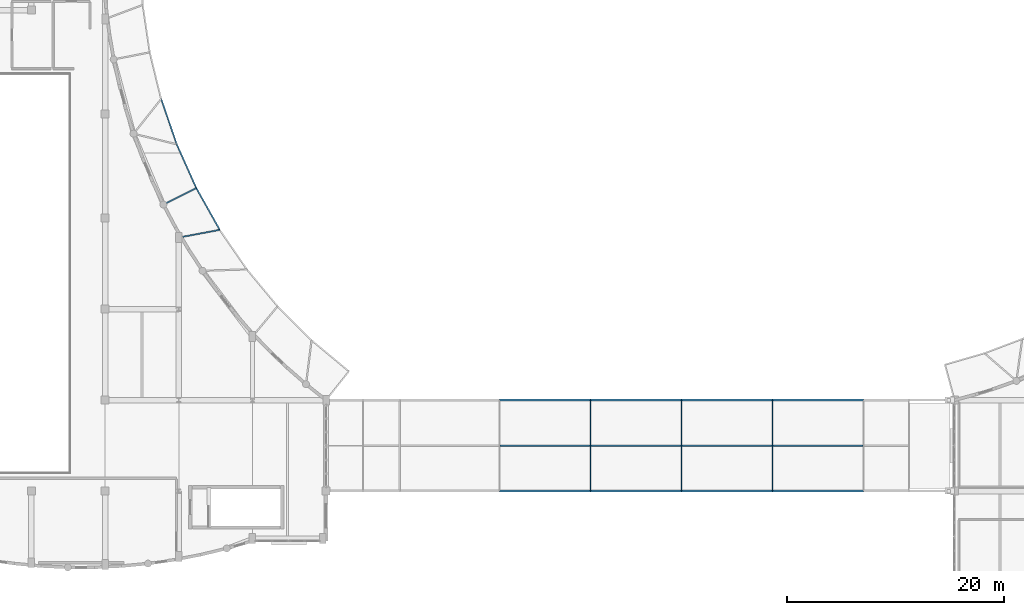
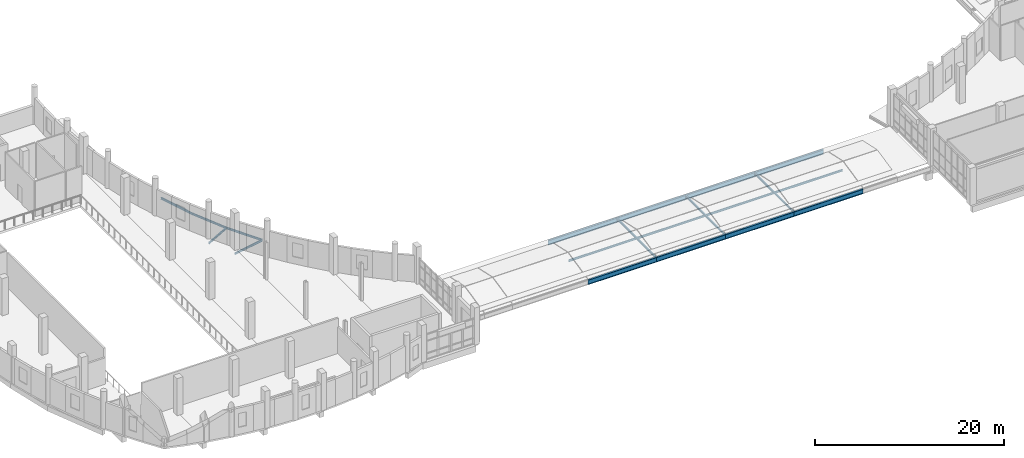
# One storey, part 17 of 106: 20 beams.
"""IFC4 building model written with IfcOpenShell, lengths in metres."""

from ifc_helpers import new_model, si_unit, direction, frame, origin, origin_2d, place, context, subcontext, project, spatial, i_section, extrude, material, material_profile, profile_set, type_object, element, save


model = new_model("IFC4")

# Units and contexts
model_context = context("Model", 3, precision=1e-05, world=origin(), true_north=direction((0.0, 1.0)))
body_context = subcontext(model_context, "Body", "Model", "MODEL_VIEW")
ifc_project = project(units=[si_unit("LENGTHUNIT", "METRE"), si_unit("AREAUNIT", "SQUARE_METRE"), si_unit("VOLUMEUNIT", "CUBIC_METRE"), si_unit("PLANEANGLEUNIT", "RADIAN"), si_unit("MASSUNIT", "GRAM", prefix="KILO")], contexts=[model_context])

# Site, building, storey
site_placement = place(None, origin())
site = spatial("IfcSite", under=ifc_project, at=site_placement, CompositionType="ELEMENT")
building_placement = place(site_placement, origin())
building = spatial("IfcBuilding", under=site, at=building_placement, Name="Kisaragi Civic Commons", CompositionType="ELEMENT")
storey_placement = place(building_placement, frame((0.0, 0.0, 4.800048828125)))
storey = spatial("IfcBuildingStorey", under=building, at=storey_placement, Name="L01", CompositionType="ELEMENT", Elevation=4.800048828125)

# Beams
ifc_material_1 = material(Name="Steel SN490 (SN490B)", Category="steel")
ifc_material_profile_1 = material_profile(ifc_material_1, i_section(OverallWidth=0.199951171875, OverallDepth=0.60009765625, WebThickness=0.010986328125, FlangeThickness=0.01708984375, FilletRadius=0.012939453125, at=origin_2d()), Name="H-600x200x11x17", Category="steel")
ifc_profile_set_1 = profile_set([ifc_material_profile_1], Name="Steel SN490 (SN490B)")
beam_type_1 = type_object("IfcBeamType", Name="G-10", PredefinedType="BEAM", material=ifc_profile_set_1)
for number, where, z_axis, x_axis, name in (
    (1, (63.60009765625, 8.39990234375, -0.580078125), (1.0, 0.0, 0.0), (0.0, 1.0, 0.0), "BR-V1-V3 L01 bridge girder 207"),
    (2, (72.0, 8.39990234375, -0.580078125), (1.0, 0.0, 0.0), (0.0, 1.0, 0.0), "BR-V1-V3 L01 bridge girder 208"),
):
    element("IfcBeam", number, at=place(storey_placement, frame(where, z_axis=z_axis, x_axis=x_axis)), inside=storey, type_object=beam_type_1, Name=name, PredefinedType="BEAM", context=body_context, shape_type="SweptSolid", body=[
        extrude(i_section(OverallWidth=0.199951171875, OverallDepth=0.60009765625, WebThickness=0.010986328125, FlangeThickness=0.01708984375, FilletRadius=0.012939453125, at=origin_2d()), origin(), (0.0, 0.0, 1.0), 8.39990234375),
    ])
beam_1_placement = place(storey_placement, frame((80.39990234375, 8.39990234375, -0.580078125), z_axis=(1.0, 0.0, 0.0), x_axis=(0.0, 1.0, 0.0)))
element("IfcBeam", 3, at=beam_1_placement, inside=storey, type_object=beam_type_1, Name="BR-V1-V3 L01 bridge girder 209", PredefinedType="BEAM", context=body_context, shape_type="SweptSolid", body=[
    extrude(i_section(OverallWidth=0.199951171875, OverallDepth=0.60009765625, WebThickness=0.010986328125, FlangeThickness=0.01708984375, FilletRadius=0.012939453125, at=origin_2d()), origin(), (0.0, 0.0, 1.0), 8.400146484375),
])
for number, where, z_axis, x_axis, name in (
    (4, (88.800048828125, 8.39990234375, -0.580078125), (1.0, 0.0, 0.0), (0.0, 1.0, 0.0), "BR-V1-V3 L01 bridge girder 210"),
    (5, (63.60009765625, 16.800048828125, -0.580078125), (1.0, 0.0, 0.0), (0.0, 1.0, 0.0), "BR-V1-V3 L01 bridge girder 217"),
    (6, (72.0, 16.800048828125, -0.580078125), (1.0, 0.0, 0.0), (0.0, 1.0, 0.0), "BR-V1-V3 L01 bridge girder 218"),
):
    element("IfcBeam", number, at=place(storey_placement, frame(where, z_axis=z_axis, x_axis=x_axis)), inside=storey, type_object=beam_type_1, Name=name, PredefinedType="BEAM", context=body_context, shape_type="SweptSolid", body=[
        extrude(i_section(OverallWidth=0.199951171875, OverallDepth=0.60009765625, WebThickness=0.010986328125, FlangeThickness=0.01708984375, FilletRadius=0.012939453125, at=origin_2d()), origin(), (0.0, 0.0, 1.0), 8.39990234375),
    ])
beam_2_placement = place(storey_placement, frame((80.39990234375, 16.800048828125, -0.580078125), z_axis=(1.0, 0.0, 0.0), x_axis=(0.0, 1.0, 0.0)))
element("IfcBeam", 7, at=beam_2_placement, inside=storey, type_object=beam_type_1, Name="BR-V1-V3 L01 bridge girder 219", PredefinedType="BEAM", context=body_context, shape_type="SweptSolid", body=[
    extrude(i_section(OverallWidth=0.199951171875, OverallDepth=0.60009765625, WebThickness=0.010986328125, FlangeThickness=0.01708984375, FilletRadius=0.012939453125, at=origin_2d()), origin(), (0.0, 0.0, 1.0), 8.400146484375),
])
beam_3_placement = place(storey_placement, frame((88.800048828125, 16.800048828125, -0.580078125), z_axis=(1.0, 0.0, 0.0), x_axis=(0.0, 1.0, 0.0)))
element("IfcBeam", 8, at=beam_3_placement, inside=storey, type_object=beam_type_1, Name="BR-V1-V3 L01 bridge girder 220", PredefinedType="BEAM", context=body_context, shape_type="SweptSolid", body=[
    extrude(i_section(OverallWidth=0.199951171875, OverallDepth=0.60009765625, WebThickness=0.010986328125, FlangeThickness=0.01708984375, FilletRadius=0.012939453125, at=origin_2d()), origin(), (0.0, 0.0, 1.0), 8.39990234375),
])
ifc_material_2 = material(Name="Steel SN400 (SN400B)", Category="steel")
ifc_material_profile_2 = material_profile(ifc_material_2, i_section(OverallWidth=0.125, OverallDepth=0.25, WebThickness=0.006103515625, FlangeThickness=0.009033203125, FilletRadius=0.008056640625, at=origin_2d()), Name="H-250x125x6x9", Category="steel")
ifc_profile_set_2 = profile_set([ifc_material_profile_2], Name="Steel SN400 (SN400B)")
beam_type_2 = type_object("IfcBeamType", Name="J-05", PredefinedType="JOIST", material=ifc_profile_set_2)
for number, where, z_axis, x_axis, name in (
    (9, (32.379150390625, 44.6064453125, -0.75), (0.323648691031, -0.946177322067, 0.0), (0.946177322067, 0.323648691031, 0.0), "VER-V1 L01 edge beam 28"),
    (10, (33.8115234375, 40.4189453125, -0.75), (0.408363640954, -0.912819334122, 0.0), (0.912819334122, 0.408363640954, 0.0), "VER-V1 L01 edge beam 29"),
    (11, (35.618896484375, 36.37890625, -0.75), (0.489679711912, -0.871902391178, 0.0), (0.871902391178, 0.489679711912, 0.0), "VER-V1 L01 edge beam 30"),
):
    element("IfcBeam", number, at=place(storey_placement, frame(where, z_axis=z_axis, x_axis=x_axis)), inside=storey, type_object=beam_type_2, Name=name, PredefinedType="JOIST", context=body_context, shape_type="SweptSolid", body=[
        extrude(i_section(OverallWidth=0.125, OverallDepth=0.25, WebThickness=0.006103515625, FlangeThickness=0.009033203125, FilletRadius=0.008056640625, at=origin_2d()), origin(), (0.0, 0.0, 1.0), 4.42578125),
    ])
beam_4_placement = place(storey_placement, frame((35.618896484375, 36.37890625, -0.75), z_axis=(-0.893275332233, -0.449509934066, 0.0), x_axis=(0.449509934066, -0.893275332233, 0.0)))
element("IfcBeam", 12, at=beam_4_placement, inside=storey, type_object=beam_type_2, Name="VER-V1 L01 radial tie 41", PredefinedType="JOIST", context=body_context, shape_type="SweptSolid", body=[
    extrude(i_section(OverallWidth=0.125, OverallDepth=0.25, WebThickness=0.006103515625, FlangeThickness=0.009033203125, FilletRadius=0.008056640625, at=origin_2d()), origin(), (0.0, 0.0, 1.0), 3.39990234375),
])
beam_5_placement = place(storey_placement, frame((37.7861328125, 32.52001953125, -0.75), z_axis=(-0.982926676265, -0.183997687722, 0.0), x_axis=(0.183997687722, -0.982926676265, 0.0)))
element("IfcBeam", 13, at=beam_5_placement, inside=storey, type_object=beam_type_2, Name="VER-V1 L01 radial tie 42", PredefinedType="JOIST", context=body_context, shape_type="SweptSolid", body=[
    extrude(i_section(OverallWidth=0.125, OverallDepth=0.25, WebThickness=0.006103515625, FlangeThickness=0.009033203125, FilletRadius=0.008056640625, at=origin_2d()), origin(), (0.0, 0.0, 1.0), 3.851806640625),
])
for number, where, z_axis, x_axis, name in (
    (14, (72.0, 8.39990234375, -0.405029296875), (0.0, 1.0, 0.0), (-1.0, 0.0, 0.0), "BR-V1-V3 L01 cross joist 227"),
    (15, (80.39990234375, 8.39990234375, -0.405029296875), (0.0, 1.0, 0.0), (-1.0, 0.0, 0.0), "BR-V1-V3 L01 cross joist 228"),
    (16, (88.800048828125, 8.39990234375, -0.405029296875), (0.0, 1.0, 0.0), (-1.0, 0.0, 0.0), "BR-V1-V3 L01 cross joist 229"),
):
    element("IfcBeam", number, at=place(storey_placement, frame(where, z_axis=z_axis, x_axis=x_axis)), inside=storey, type_object=beam_type_2, Name=name, PredefinedType="JOIST", context=body_context, shape_type="SweptSolid", body=[
        extrude(i_section(OverallWidth=0.125, OverallDepth=0.25, WebThickness=0.006103515625, FlangeThickness=0.009033203125, FilletRadius=0.008056640625, at=origin_2d()), origin(), (0.0, 0.0, 1.0), 8.400146484375),
    ])
for number, where, z_axis, x_axis, name in (
    (17, (63.66259765625, 12.60009765625, -0.405029296875), (1.0, 0.0, 0.0), (0.0, 1.0, 0.0), "BR-V1-V3 L01 spine joist 234"),
    (18, (72.0625, 12.60009765625, -0.405029296875), (1.0, 0.0, 0.0), (0.0, 1.0, 0.0), "BR-V1-V3 L01 spine joist 235"),
):
    element("IfcBeam", number, at=place(storey_placement, frame(where, z_axis=z_axis, x_axis=x_axis)), inside=storey, type_object=beam_type_2, Name=name, PredefinedType="JOIST", context=body_context, shape_type="SweptSolid", body=[
        extrude(i_section(OverallWidth=0.125, OverallDepth=0.25, WebThickness=0.006103515625, FlangeThickness=0.009033203125, FilletRadius=0.008056640625, at=origin_2d()), origin(), (0.0, 0.0, 1.0), 8.27490234375),
    ])
beam_6_placement = place(storey_placement, frame((80.46240234375, 12.60009765625, -0.405029296875), z_axis=(1.0, 0.0, 0.0), x_axis=(0.0, 1.0, 0.0)))
element("IfcBeam", 19, at=beam_6_placement, inside=storey, type_object=beam_type_2, Name="BR-V1-V3 L01 spine joist 236", PredefinedType="JOIST", context=body_context, shape_type="SweptSolid", body=[
    extrude(i_section(OverallWidth=0.125, OverallDepth=0.25, WebThickness=0.006103515625, FlangeThickness=0.009033203125, FilletRadius=0.008056640625, at=origin_2d()), origin(), (0.0, 0.0, 1.0), 8.275146484375),
])
beam_7_placement = place(storey_placement, frame((88.862548828125, 12.60009765625, -0.405029296875), z_axis=(1.0, 0.0, 0.0), x_axis=(0.0, 1.0, 0.0)))
element("IfcBeam", 20, at=beam_7_placement, inside=storey, type_object=beam_type_2, Name="BR-V1-V3 L01 spine joist 237", PredefinedType="JOIST", context=body_context, shape_type="SweptSolid", body=[
    extrude(i_section(OverallWidth=0.125, OverallDepth=0.25, WebThickness=0.006103515625, FlangeThickness=0.009033203125, FilletRadius=0.008056640625, at=origin_2d()), origin(), (0.0, 0.0, 1.0), 8.27490234375),
])

save(model, "model.ifc")
